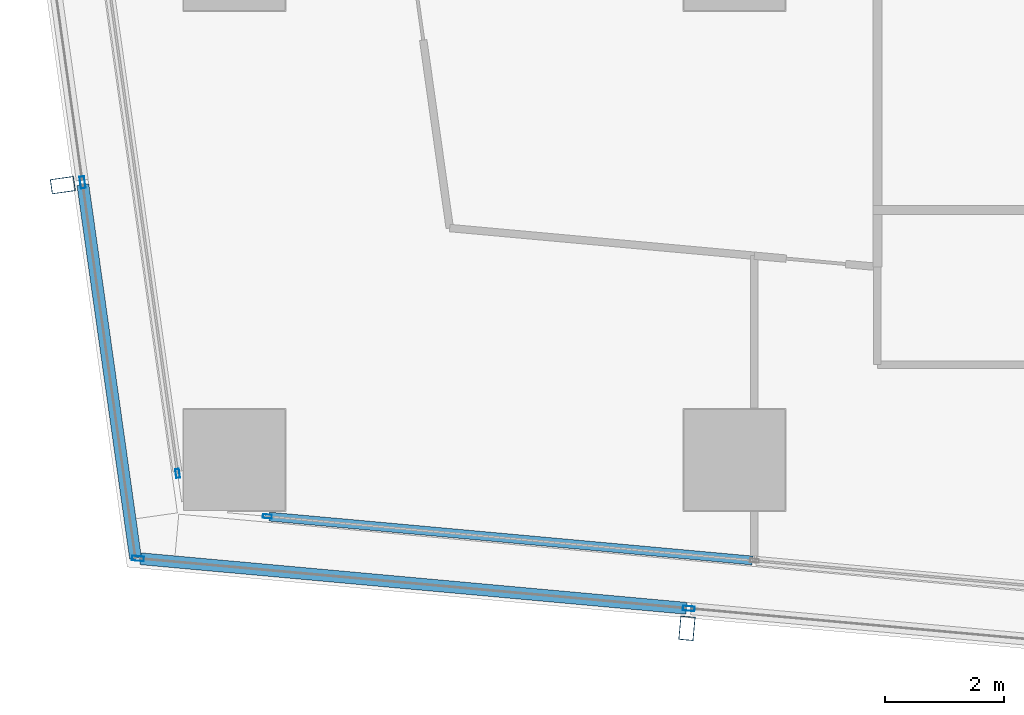
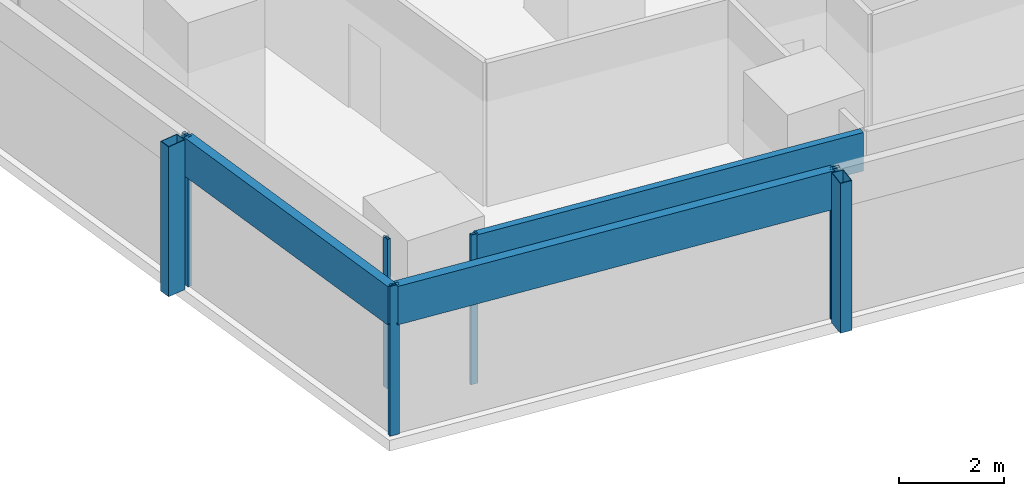
# One storey, part 2 of 40: 10 members, 4 elements without a shape of their own.
"""IFC4 building model written with IfcOpenShell, lengths in metres."""

import ifcopenshell
import ifcopenshell.guid

model = None  # the IFC model being written
_history = None  # IfcOwnerHistory: only IFC2X3 demands one
_inside = {}  # id of a spatial element -> (the spatial element, [elements in it])
_under = {}  # id of a project, library or spatial element -> (it, [spatial elements below it])
_declared = {}  # id of a project -> (the project, [libraries it declares])
_typed = {}  # id of a type object -> (the type object, [elements of that type])
_made_of = {}  # id of a material, layer set ... -> (it, [elements and type objects made of it])


def new_model(schema):
    """Start an empty IFC model of exactly this schema.

    Asked for "IFC4X3", IfcOpenShell would pick the latest addendum, in which some entities
    have other attributes; the version numbers below select the first issue.
    IFC2X3 requires an IfcOwnerHistory on every rooted entity: one is made here for all.
    """
    global model, _history
    if schema == "IFC4X3":
        model = ifcopenshell.file(schema_version=(4, 3, 0, 0))
    else:
        model = ifcopenshell.file(schema=schema)
    _inside.clear()
    _under.clear()
    _declared.clear()
    _typed.clear()
    _made_of.clear()
    _history = None
    if model.schema == "IFC2X3":
        org = make("IfcOrganization", Name="unknown")
        user = make(
            "IfcPersonAndOrganization",
            ThePerson=make("IfcPerson", FamilyName="unknown"),
            TheOrganization=org,
        )
        app = make(
            "IfcApplication",
            ApplicationDeveloper=org,
            Version="unknown",
            ApplicationFullName="unknown",
            ApplicationIdentifier="unknown",
        )
        _history = make(
            "IfcOwnerHistory",
            OwningUser=user,
            OwningApplication=app,
            ChangeAction="ADDED",
            CreationDate=0,
        )
    return model


def make(cls, **values):
    """One entity of the class cls with the attributes given. An attribute that is None is left unset."""
    return model.create_entity(
        cls, **{name: value for name, value in values.items() if value is not None}
    )


def rooted(cls, **values):
    """An entity with a GlobalId (a new one), such as an element, a storey or a relation."""
    return make(cls, GlobalId=ifcopenshell.guid.new(), OwnerHistory=_history, **values)


def si_unit(unit_type, name, prefix=None):
    """IfcSIUnit, for example si_unit("LENGTHUNIT", "METRE", prefix="MILLI")."""
    return make("IfcSIUnit", UnitType=unit_type, Prefix=prefix, Name=name)


def assignment(units):
    """IfcUnitAssignment: the units of a project."""
    return None if units is None else make("IfcUnitAssignment", Units=units)


def point(xyz):
    """IfcCartesianPoint."""
    return None if xyz is None else make("IfcCartesianPoint", Coordinates=xyz)


def direction(xyz):
    """IfcDirection."""
    return None if xyz is None else make("IfcDirection", DirectionRatios=xyz)


def frame(location, z_axis=None, x_axis=None):
    """IfcAxis2Placement3D, a coordinate frame: its origin and axes. An axis left out is left unset."""
    return make(
        "IfcAxis2Placement3D",
        Location=point(location),
        Axis=direction(z_axis),
        RefDirection=direction(x_axis),
    )


def frame_2d(location, x_axis=None):
    """IfcAxis2Placement2D, a coordinate frame in the plane: its origin and x axis."""
    return make(
        "IfcAxis2Placement2D", Location=point(location), RefDirection=direction(x_axis)
    )


def origin():
    """The frame at (0, 0, 0) with its axes left unset."""
    return frame((0.0, 0.0, 0.0))


def origin_2d():
    """The frame at (0, 0) in the plane with its x axis left unset."""
    return frame_2d((0.0, 0.0))


def place(relative_to, where):
    """IfcLocalPlacement: puts the frame where relative to a parent placement (None: the world)."""
    return make(
        "IfcLocalPlacement", PlacementRelTo=relative_to, RelativePlacement=where
    )


def context(
    kind, dimensions, precision=None, world=None, true_north=None, identifier=None
):
    """IfcGeometricRepresentationContext, for example the 3D "Model" context."""
    return make(
        "IfcGeometricRepresentationContext",
        ContextIdentifier=identifier,
        ContextType=kind,
        CoordinateSpaceDimension=dimensions,
        Precision=precision,
        WorldCoordinateSystem=world,
        TrueNorth=true_north,
    )


def subcontext(parent, identifier, kind, view, scale=None):
    """IfcGeometricRepresentationSubContext, for example "Body" below "Model"."""
    return make(
        "IfcGeometricRepresentationSubContext",
        ContextIdentifier=identifier,
        ContextType=kind,
        ParentContext=parent,
        TargetScale=scale,
        TargetView=view,
    )


def project(units=None, contexts=None):
    """IfcProject with its units and contexts."""
    return rooted(
        "IfcProject",
        Name="project",
        RepresentationContexts=contexts,
        UnitsInContext=assignment(units),
    )


def spatial(cls, under=None, at=None, **own):
    """A site, building, storey or space (cls), placed at a placement, below another one or the project."""
    s = rooted(cls, ObjectPlacement=at, **own)
    if under is not None:
        _under.setdefault(under.id(), (under, []))[1].append(s)
    return s


def profile(cls, at=None, kind="AREA", **sizes):
    """A parametric profile (cls). Its sizes go by their IFC names, for example OverallWidth=200.0."""
    return make(cls, ProfileType=kind, Position=at, **sizes)


def hollow_rectangle(**sizes):
    """IfcRectangleHollowProfileDef."""
    return profile("IfcRectangleHollowProfileDef", **sizes)


def extrude(swept, where, along, depth):
    """IfcExtrudedAreaSolid: the profile swept, set in the frame where, extruded along a direction by depth."""
    return make(
        "IfcExtrudedAreaSolid",
        SweptArea=swept,
        Position=where,
        ExtrudedDirection=direction(along),
        Depth=depth,
    )


def shape(context_of_items, identifier, shape_type, items):
    """IfcShapeRepresentation: the items that make up one representation, for example the "Body"."""
    return make(
        "IfcShapeRepresentation",
        ContextOfItems=context_of_items,
        RepresentationIdentifier=identifier,
        RepresentationType=shape_type,
        Items=items,
    )


def material(Name=None, Category=None):
    """IfcMaterial."""
    return make("IfcMaterial", Name=Name, Category=Category)


def material_profile(
    of_material, cross_section, Name=None, Category=None, Priority=None
):
    """IfcMaterialProfile: a cross section and its material."""
    return make(
        "IfcMaterialProfile",
        Name=Name,
        Material=of_material,
        Profile=cross_section,
        Priority=Priority,
        Category=Category,
    )


def profile_set(profiles, Name=None, composite=None):
    """IfcMaterialProfileSet."""
    return make(
        "IfcMaterialProfileSet",
        Name=Name,
        MaterialProfiles=profiles,
        CompositeProfile=composite,
    )


def made_of(thing, what):
    """Note that an element or type object is made of a material, layer set ...; save() writes the relation."""
    if what is not None:
        _made_of.setdefault(what.id(), (what, []))[1].append(thing)
    return thing


def type_object(cls, material=None, **own):
    """A type object (cls), such as IfcWallType, which elements share."""
    return made_of(rooted(cls, **own), material)


def element(
    cls,
    number,
    at=None,
    inside=None,
    cuts=None,
    type_object=None,
    material=None,
    context=None,
    identifier="Body",
    shape_type=None,
    held_by="IfcProductDefinitionShape",
    body=None,
    shapes=None,
    **own,
):
    """One element of the class cls, such as IfcWall. Its Tag is "e" and its number.

    at: its placement. inside: the storey or other place that contains it. cuts: it is an
    opening in that element (IfcRelVoidsElement). A single representation is given by context,
    identifier, shape_type and body (its items); several are given by shapes. held_by: the class
    of the entity that holds the representations. save() writes the other relations.
    """
    e = rooted(cls, Tag="e%d" % number, ObjectPlacement=at, **own)
    if body is not None:
        shapes = [shape(context, identifier, shape_type, body)]
    if shapes is not None:
        e.Representation = make(held_by, Representations=shapes)
    if inside is not None:
        _inside.setdefault(inside.id(), (inside, []))[1].append(e)
    if cuts is not None:
        rooted(
            "IfcRelVoidsElement", RelatingBuildingElement=cuts, RelatedOpeningElement=e
        )
    if type_object is not None:
        _typed.setdefault(type_object.id(), (type_object, []))[1].append(e)
    return made_of(e, material)


def aggregate(whole, parts):
    """IfcRelAggregates: a whole, such as a stair, and the parts it consists of."""
    return rooted("IfcRelAggregates", RelatingObject=whole, RelatedObjects=parts)


def save(model, path):
    """Write the relations noted so far, then the file.

    IfcRelAggregates (storeys below a building ...), IfcRelContainedInSpatialStructure (elements
    in a storey), IfcRelDefinesByType, IfcRelAssociatesMaterial and IfcRelDeclares: one each for
    every whole, place, type object, material and project.
    """
    for whole, parts in _under.values():
        aggregate(whole, parts)
    for where, things in _inside.values():
        rooted(
            "IfcRelContainedInSpatialStructure",
            RelatedElements=things,
            RelatingStructure=where,
        )
    for kind, things in _typed.values():
        rooted("IfcRelDefinesByType", RelatedObjects=things, RelatingType=kind)
    for what, things in _made_of.values():
        rooted("IfcRelAssociatesMaterial", RelatedObjects=things, RelatingMaterial=what)
    for by, libraries in _declared.values():
        rooted("IfcRelDeclares", RelatingContext=by, RelatedDefinitions=libraries)
    model.write(path)


model = new_model("IFC4")

# Units and contexts
model_context = context("Model", 3, precision=1e-05, world=origin(), true_north=direction((0.0, 1.0)))
body_context = subcontext(model_context, "Body", "Model", "MODEL_VIEW")
ifc_project = project(units=[si_unit("LENGTHUNIT", "METRE"), si_unit("AREAUNIT", "SQUARE_METRE"), si_unit("VOLUMEUNIT", "CUBIC_METRE"), si_unit("PLANEANGLEUNIT", "RADIAN"), si_unit("MASSUNIT", "GRAM", prefix="KILO")], contexts=[model_context])

# Site, building, storey
site_placement = place(None, origin())
site = spatial("IfcSite", under=ifc_project, at=site_placement, CompositionType="ELEMENT")
building_placement = place(site_placement, origin())
building = spatial("IfcBuilding", under=site, at=building_placement, Name="Rekha Terrace Tower", CompositionType="ELEMENT")
storey_placement = place(building_placement, frame((0.0, 0.0, 132.800048828125)))
storey = spatial("IfcBuildingStorey", under=building, at=storey_placement, Name="L33", CompositionType="ELEMENT", Elevation=132.800048828125)

# Curtain wall, member
ifc_material_1 = material(Name="Aluminium framing", Category="aluminium")
curtain_wall_type_1 = type_object("IfcCurtainWallType", Name="CW2 double skin outer glazing", PredefinedType="USERDEFINED", material=ifc_material_1)
curtain_wall_1_placement = place(storey_placement, origin())
curtain_wall_1 = element("IfcCurtainWall", 1, at=curtain_wall_1_placement, inside=storey, type_object=curtain_wall_type_1, Name="CW2 double skin outer glazing", ObjectType="DOUBLE SKIN OUTER GLAZING", PredefinedType="USERDEFINED")
ifc_material_2 = material(Name="Steel S355 with fluorocarbon finish", Category="steel")
ifc_material_profile_1 = material_profile(ifc_material_2, hollow_rectangle(XDim=0.25, YDim=0.39990234375, WallThickness=0.012451171875, at=origin_2d()), Name="RHS400x250x12.5")
ifc_profile_set_1 = profile_set([ifc_material_profile_1], Name="Steel S355 with fluorocarbon finish")
member_type_1 = type_object("IfcMemberType", Name="BL1 facade blade RHS 400 x 250", PredefinedType="USERDEFINED", material=ifc_profile_set_1)
member_1_placement = place(storey_placement, frame((16.002197265625, 13.970458984375, 0.0), z_axis=(0.0, 0.0, 1.0), x_axis=(0.995901938317, -0.090439644273, 0.0)))
member_1 = element("IfcMember", 2, at=member_1_placement, type_object=member_type_1, Name="Facade blade", ObjectType="FACADE BLADE", PredefinedType="USERDEFINED", context=body_context, shape_type="SweptSolid", body=[
    extrude(hollow_rectangle(XDim=0.25, YDim=0.39990234375, WallThickness=0.012451171875, at=origin_2d()), origin(), (0.0, 0.0, 1.0), 3.5),
])

curtain_wall_2_placement = place(storey_placement, origin())
curtain_wall_2 = element("IfcCurtainWall", 3, at=curtain_wall_2_placement, inside=storey, type_object=curtain_wall_type_1, Name="CW2 double skin outer glazing", ObjectType="DOUBLE SKIN OUTER GLAZING", PredefinedType="USERDEFINED")
member_2_placement = place(storey_placement, frame((5.51904296875, 21.41455078125, 0.0), z_axis=(0.0, 0.0, 1.0), x_axis=(0.139596532461, -0.990208467003, 0.0)))
member_2 = element("IfcMember", 4, at=member_2_placement, type_object=member_type_1, Name="Facade blade", ObjectType="FACADE BLADE", PredefinedType="USERDEFINED", context=body_context, shape_type="SweptSolid", body=[
    extrude(hollow_rectangle(XDim=0.25, YDim=0.39990234375, WallThickness=0.012451171875, at=origin_2d()), origin(), (0.0, 0.0, 1.0), 3.5),
])

curtain_wall_type_2 = type_object("IfcCurtainWallType", Name="CW1 double skin inner glazing", PredefinedType="USERDEFINED", material=ifc_material_1)
curtain_wall_3_placement = place(storey_placement, origin())
curtain_wall_3 = element("IfcCurtainWall", 5, at=curtain_wall_3_placement, inside=storey, type_object=curtain_wall_type_2, Name="CW1 double skin inner glazing", ObjectType="DOUBLE SKIN INNER GLAZING", PredefinedType="USERDEFINED")
ifc_material_3 = material(Name="Aluminium mullion section", Category="aluminium")
ifc_material_profile_2 = material_profile(ifc_material_3, hollow_rectangle(XDim=0.06494140625, YDim=0.14990234375, WallThickness=0.00390625, at=origin_2d()), Name="AL RHS 65x150")
ifc_profile_set_2 = profile_set([ifc_material_profile_2], Name="Aluminium mullion section")
member_type_2 = type_object("IfcMemberType", Name="CW1 mullion RHS 65 x 150", PredefinedType="MULLION", material=ifc_profile_set_2)
member_3_placement = place(storey_placement, frame((8.953369140625, 15.8505859375, 0.0), z_axis=(0.0, 0.0, 1.0), x_axis=(0.090439811381, 0.995901923142, 0.0)))
member_3 = element("IfcMember", 6, at=member_3_placement, type_object=member_type_2, Name="CW1 mullion 1", PredefinedType="MULLION", context=body_context, shape_type="SweptSolid", body=[
    extrude(hollow_rectangle(XDim=0.06494140625, YDim=0.14990234375, WallThickness=0.00390625, at=origin_2d()), origin(), (0.0, 0.0, 1.0), 3.5),
])

curtain_wall_4_placement = place(storey_placement, origin())
curtain_wall_4 = element("IfcCurtainWall", 7, at=curtain_wall_4_placement, inside=storey, type_object=curtain_wall_type_2, Name="CW1 double skin inner glazing", ObjectType="DOUBLE SKIN INNER GLAZING", PredefinedType="USERDEFINED")
member_4_placement = place(storey_placement, frame((7.448486328125, 16.573974609375, 0.0), z_axis=(0.0, 0.0, 1.0), x_axis=(0.990208394312, 0.139597048082, 0.0)))
member_4 = element("IfcMember", 8, at=member_4_placement, type_object=member_type_2, Name="CW1 mullion 2", PredefinedType="MULLION", context=body_context, shape_type="SweptSolid", body=[
    extrude(hollow_rectangle(XDim=0.06494140625, YDim=0.14990234375, WallThickness=0.00390625, at=origin_2d()), origin(), (0.0, 0.0, 1.0), 3.5),
])
aggregate(curtain_wall_4, [member_4])

# Member
ifc_material_4 = material(Name="Insulated aluminium spandrel box", Category="aluminium")
ifc_material_profile_3 = material_profile(ifc_material_4, hollow_rectangle(XDim=0.14990234375, YDim=0.89990234375, WallThickness=0.0029296875, at=origin_2d()), Name="AL SPANDREL BOX 150x900")
ifc_profile_set_3 = profile_set([ifc_material_profile_3], Name="Insulated aluminium spandrel box")
member_type_3 = type_object("IfcMemberType", Name="CW1 spandrel transom 150 x 900", PredefinedType="USERDEFINED", material=ifc_profile_set_3)
member_5_placement = place(storey_placement, frame((8.98583984375, 15.84765625, 3.050048828125), z_axis=(0.995901551249, -0.090443906483, 0.0), x_axis=(0.090443906483, 0.995901551249, 0.0)))
member_5 = element("IfcMember", 9, at=member_5_placement, type_object=member_type_3, Name="CW1 spandrel transom 1", ObjectType="TRANSOM", PredefinedType="USERDEFINED", context=body_context, shape_type="SweptSolid", body=[
    extrude(hollow_rectangle(XDim=0.14990234375, YDim=0.89990234375, WallThickness=0.0029296875, at=origin_2d()), origin(), (0.0, 0.0, 1.0), 8.1494140625),
])

aggregate(curtain_wall_3, [member_3, member_5])

ifc_material_profile_4 = material_profile(ifc_material_3, hollow_rectangle(XDim=0.080078125, YDim=0.199951171875, WallThickness=0.00390625, at=origin_2d()), Name="AL RHS 80x200")
ifc_profile_set_4 = profile_set([ifc_material_profile_4], Name="Aluminium mullion section")
member_type_4 = type_object("IfcMemberType", Name="CW2 mullion RHS 80 x 200", PredefinedType="MULLION", material=ifc_profile_set_4)
member_6_placement = place(storey_placement, frame((6.780517578125, 15.144287109375, 0.0), z_axis=(0.0, 0.0, 1.0), x_axis=(0.090439811433, 0.995901923137, 0.0)))
member_6 = element("IfcMember", 10, at=member_6_placement, type_object=member_type_4, Name="CW2 mullion 1", PredefinedType="MULLION", context=body_context, shape_type="SweptSolid", body=[
    extrude(hollow_rectangle(XDim=0.080078125, YDim=0.199951171875, WallThickness=0.00390625, at=origin_2d()), origin(), (0.0, 0.0, 1.0), 3.5),
])

member_7_placement = place(storey_placement, frame((16.032470703125, 14.30419921875, 0.0), z_axis=(0.0, 0.0, 1.0), x_axis=(0.090439811433, 0.995901923137, 0.0)))
member_7 = element("IfcMember", 11, at=member_7_placement, type_object=member_type_4, Name="CW2 mullion 2", PredefinedType="MULLION", context=body_context, shape_type="SweptSolid", body=[
    extrude(hollow_rectangle(XDim=0.080078125, YDim=0.199951171875, WallThickness=0.00390625, at=origin_2d()), origin(), (0.0, 0.0, 1.0), 3.5),
])

member_8_placement = place(storey_placement, frame((5.8505859375, 21.46142578125, 0.0), z_axis=(0.0, 0.0, 1.0), x_axis=(0.990208394312, 0.139597048082, 0.0)))
member_8 = element("IfcMember", 12, at=member_8_placement, type_object=member_type_4, Name="CW2 mullion 2", PredefinedType="MULLION", context=body_context, shape_type="SweptSolid", body=[
    extrude(hollow_rectangle(XDim=0.080078125, YDim=0.199951171875, WallThickness=0.00390625, at=origin_2d()), origin(), (0.0, 0.0, 1.0), 3.5),
])

ifc_material_profile_5 = material_profile(ifc_material_4, hollow_rectangle(XDim=0.199951171875, YDim=0.89990234375, WallThickness=0.0029296875, at=origin_2d()), Name="AL SPANDREL BOX 200x900")
ifc_profile_set_5 = profile_set([ifc_material_profile_5], Name="Insulated aluminium spandrel box")
member_type_5 = type_object("IfcMemberType", Name="CW2 spandrel transom 200 x 900", PredefinedType="USERDEFINED", material=ifc_profile_set_5)
member_9_placement = place(storey_placement, frame((6.8203125, 15.140625, 3.050048828125), z_axis=(0.995901458883, -0.090444923548, 0.0), x_axis=(0.090444923548, 0.995901458883, 0.0)))
member_9 = element("IfcMember", 13, at=member_9_placement, type_object=member_type_5, Name="CW2 spandrel transom 1", ObjectType="TRANSOM", PredefinedType="USERDEFINED", context=body_context, shape_type="SweptSolid", body=[
    extrude(hollow_rectangle(XDim=0.199951171875, YDim=0.89990234375, WallThickness=0.0029296875, at=origin_2d()), origin(), (0.0, 0.0, 1.0), 9.210205078125),
])

aggregate(curtain_wall_1, [member_6, member_7, member_9, member_1])

member_10_placement = place(storey_placement, frame((5.856201171875, 21.421875, 3.050048828125), z_axis=(0.139603155616, -0.990207533269, 0.0), x_axis=(0.990207533269, 0.139603155616, 0.0)))
member_10 = element("IfcMember", 14, at=member_10_placement, type_object=member_type_5, Name="CW2 spandrel transom 2", ObjectType="TRANSOM", PredefinedType="USERDEFINED", context=body_context, shape_type="SweptSolid", body=[
    extrude(hollow_rectangle(XDim=0.199951171875, YDim=0.89990234375, WallThickness=0.0029296875, at=origin_2d()), origin(), (0.0, 0.0, 1.0), 6.3359375),
])

aggregate(curtain_wall_2, [member_8, member_10, member_2])

save(model, "model.ifc")
